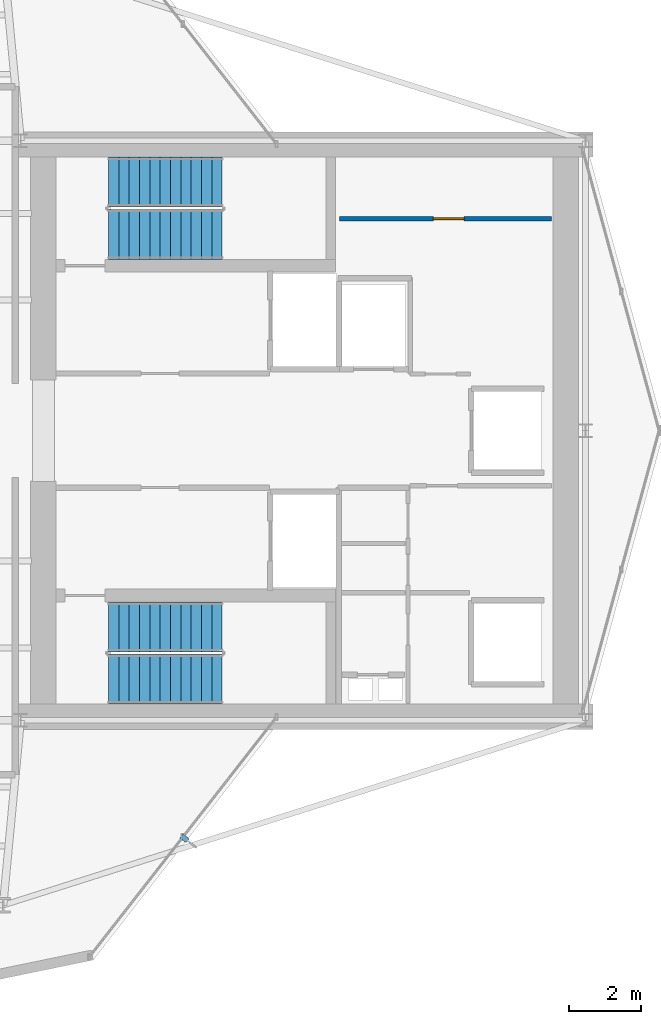
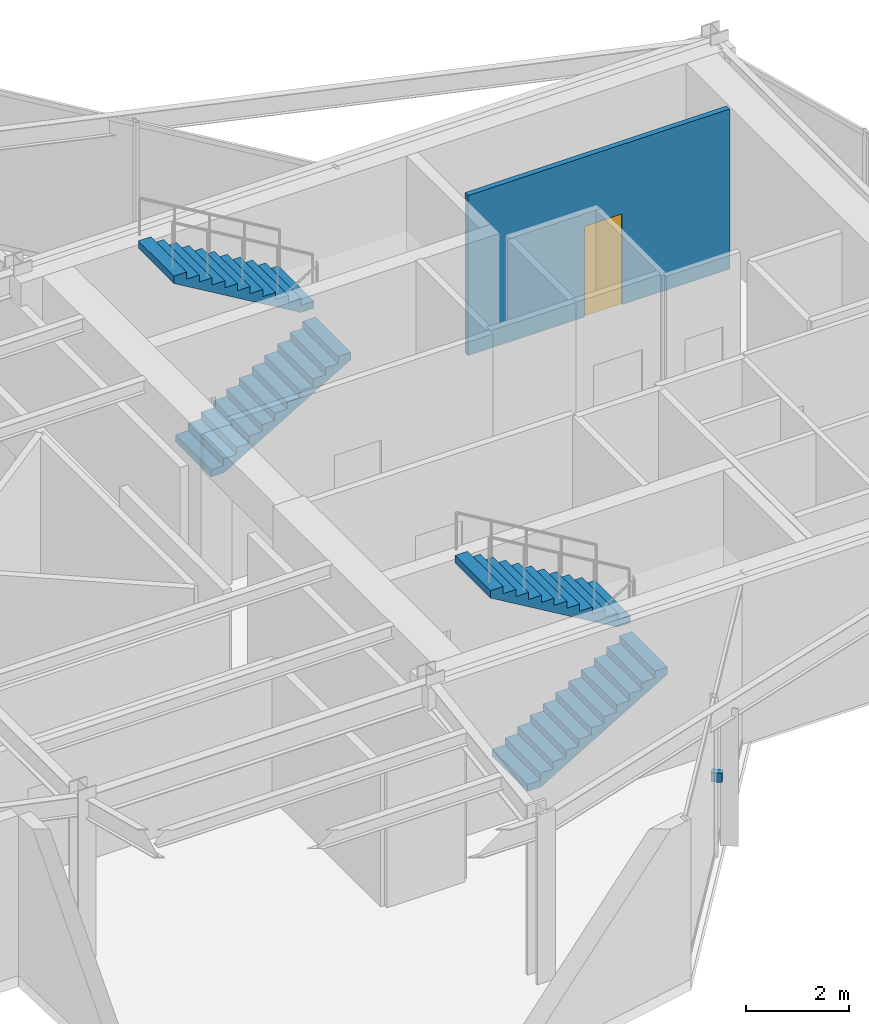
# One storey, part 20 of 21: 4 stair flights, 1 discrete accessory, 1 door, 1 wall, 1 opening, 2 elements without a shape of their own.
"""IFC4 building model written with IfcOpenShell, lengths in metres."""

from ifc_helpers import new_model, si_unit, direction, frame, frame_2d, origin, origin_2d, place, context, subcontext, project, spatial, polyline, rectangle, outline, extrude, material, layer, layer_set, type_object, element, fill, aggregate, save


model = new_model("IFC4")

# Units and contexts
model_context = context("Model", 3, precision=1e-05, world=origin(), true_north=direction((0.0, 1.0)))
body_context = subcontext(model_context, "Body", "Model", "MODEL_VIEW")
ifc_project = project(units=[si_unit("LENGTHUNIT", "METRE"), si_unit("AREAUNIT", "SQUARE_METRE"), si_unit("VOLUMEUNIT", "CUBIC_METRE"), si_unit("PLANEANGLEUNIT", "RADIAN"), si_unit("MASSUNIT", "GRAM", prefix="KILO")], contexts=[model_context])

# Site, building, storey
site_placement = place(None, origin())
site = spatial("IfcSite", under=ifc_project, at=site_placement, CompositionType="ELEMENT")
building_placement = place(site_placement, origin())
building = spatial("IfcBuilding", under=site, at=building_placement, Name="Veymaron Broadcast Tower", CompositionType="ELEMENT")
storey_placement = place(building_placement, frame((0.0, 0.0, 244.5)))
storey = spatial("IfcBuildingStorey", under=building, at=storey_placement, Name="L57", CompositionType="ELEMENT", Elevation=244.5)

# Wall, opening, door
ifc_material_1 = material(Name="Acoustic gypsum board and galvanized stud", Category="gypsum")
ifc_layer_1 = layer(ifc_material_1, 0.1201171875)
ifc_layer_set_1 = layer_set([ifc_layer_1], Name="Acoustic gypsum board and galvanized stud")
wall_type = type_object("IfcWallType", Name="WALL-PART-120", PredefinedType="PARTITIONING", material=ifc_layer_set_1)
wall_placement = place(storey_placement, frame((47.800048828125, 29.85009765625, 0.0), z_axis=(0.0, 0.0, 1.0), x_axis=(1.0, 0.0, 0.0)))
wall = element("IfcWall", 1, at=wall_placement, inside=storey, type_object=wall_type, Name="L57 partition IW-L57-F2-M", PredefinedType="PARTITIONING", context=body_context, shape_type="SweptSolid", body=[
    extrude(rectangle(XDim=5.85986328125, YDim=0.1201171875, at=frame_2d((2.929931640625, 0.0))), origin(), (0.0, 0.0, 1.0), 3.7900390625),
])
opening_placement = place(wall_placement, frame((2.60009765625, 0.0, 0.0)))
opening = element("IfcOpeningElement", 2, at=opening_placement, cuts=wall, Name="Opening ID-WC1", PredefinedType="OPENING", context=body_context, shape_type="SweptSolid", body=[
    extrude(rectangle(XDim=0.85009765625, YDim=2.14990234375, at=frame_2d((0.425048828125, 1.074951171875))), frame((0.0, 0.070068359375, 0.0), z_axis=(0.0, -1.0, 0.0), x_axis=(1.0, 0.0, 0.0)), (0.0, 0.0, 1.0), 0.14013671875),
])
ifc_material_2 = material(Name="Moisture-resistant high-pressure laminate timber", Category="wood")
door_type = type_object("IfcDoorType", Name="DOOR-INT-850", OperationType="NOTDEFINED", PredefinedType="DOOR", material=ifc_material_2)
door_placement = place(opening_placement, origin())
door = element("IfcDoor", 3, at=door_placement, inside=storey, type_object=door_type, Name="L57 door DR-L57-F2B", OperationType="SINGLE_SWING_LEFT", OverallHeight=2.14990234375, OverallWidth=0.85009765625, PredefinedType="DOOR", context=body_context, shape_type="SweptSolid", body=[
    extrude(rectangle(XDim=0.85009765625, YDim=2.14990234375, at=frame_2d((0.425048828125, 1.074951171875))), frame((0.0, 0.02490234375, 0.0), z_axis=(0.0, -1.0, 0.0), x_axis=(1.0, 0.0, 0.0)), (0.0, 0.0, 1.0), 0.050048828125),
])
fill(opening, door)

# Stair, stair flights
ifc_material_3 = material(Name="Concrete C50/60", Category="concrete")
stair_type_1 = type_object("IfcStairType", Name="STAIR-CORE-1", PredefinedType="HALF_TURN_STAIR", material=ifc_material_3)
stair_1_placement = place(storey_placement, origin())
stair_1 = element("IfcStair", 4, at=stair_1_placement, inside=storey, type_object=stair_type_1, Name="L57 North protected dog-leg exit stair ST1", PredefinedType="HALF_TURN_STAIR")
ifc_material_4 = material(Name="Precast concrete C50/60", Category="concrete")
stair_flight_type = type_object("IfcStairFlightType", Name="FLT-CORE-RC", PredefinedType="STRAIGHT", material=ifc_material_4)
stair_flight_1_placement = place(storey_placement, frame((41.429931640625, 29.419921875, 0.0), z_axis=(0.0, 0.0, 1.0), x_axis=(1.0, 0.0, 0.0)))
stair_flight_1 = element("IfcStairFlight", 5, at=stair_flight_1_placement, type_object=stair_flight_type, Name="ST1 flight 1", NumberOfRisers=12, NumberOfTreads=11, PredefinedType="STRAIGHT", RiserHeight=0.16875, TreadLength=0.285, context=body_context, shape_type="SweptSolid", body=[
    extrude(outline(polyline([(0.0, 0.0), (0.0, 0.168701171875), (0.284912109375, 0.168701171875), (0.284912109375, 0.33740234375), (0.570068359375, 0.33740234375), (0.570068359375, 0.50634765625), (0.85498046875, 0.50634765625), (0.85498046875, 0.675048828125), (1.139892578125, 0.675048828125), (1.139892578125, 0.84375), (1.425048828125, 0.84375), (1.425048828125, 1.012451171875), (1.7099609375, 1.012451171875), (1.7099609375, 1.18115234375), (1.9951171875, 1.18115234375), (1.9951171875, 1.35009765625), (2.280029296875, 1.35009765625), (2.280029296875, 1.518798828125), (2.56494140625, 1.518798828125), (2.56494140625, 1.6875), (2.85009765625, 1.6875), (2.85009765625, 1.856201171875), (3.135009765625, 1.856201171875), (3.135009765625, 2.02490234375), (3.135009765625, 1.68212890625), (0.294189453125, 0.0), (0.0, 0.0)])), frame((0.0, 0.68994140625, 0.0), z_axis=(0.0, -1.0, 0.0), x_axis=(1.0, 0.0, 0.0)), (0.0, 0.0, 1.0), 1.3798828125),
])
stair_flight_2_placement = place(storey_placement, frame((44.56494140625, 30.860107421875, 2.02490234375), z_axis=(0.0, 0.0, 1.0), x_axis=(-1.0, 0.0, 0.0)))
stair_flight_2 = element("IfcStairFlight", 6, at=stair_flight_2_placement, type_object=stair_flight_type, Name="ST1 flight 2", NumberOfRisers=12, NumberOfTreads=11, PredefinedType="STRAIGHT", RiserHeight=0.16875, TreadLength=0.285, context=body_context, shape_type="SweptSolid", body=[
    extrude(outline(polyline([(0.0, 0.0), (0.0, 0.168701171875), (0.284912109375, 0.168701171875), (0.284912109375, 0.33740234375), (0.570068359375, 0.33740234375), (0.570068359375, 0.50634765625), (0.85498046875, 0.50634765625), (0.85498046875, 0.675048828125), (1.139892578125, 0.675048828125), (1.139892578125, 0.84375), (1.425048828125, 0.84375), (1.425048828125, 1.012451171875), (1.7099609375, 1.012451171875), (1.7099609375, 1.18115234375), (1.9951171875, 1.18115234375), (1.9951171875, 1.35009765625), (2.280029296875, 1.35009765625), (2.280029296875, 1.518798828125), (2.56494140625, 1.518798828125), (2.56494140625, 1.6875), (2.85009765625, 1.6875), (2.85009765625, 1.856201171875), (3.135009765625, 1.856201171875), (3.135009765625, 2.02490234375), (3.135009765625, 1.68212890625), (0.294189453125, 0.0), (0.0, 0.0)])), frame((0.0, 0.68994140625, 0.0), z_axis=(0.0, -1.0, 0.0), x_axis=(1.0, 0.0, 0.0)), (0.0, 0.0, 1.0), 1.3798828125),
])
aggregate(stair_1, [stair_flight_1, stair_flight_2])

stair_type_2 = type_object("IfcStairType", Name="STAIR-CORE-2", PredefinedType="HALF_TURN_STAIR", material=ifc_material_3)
stair_2_placement = place(storey_placement, origin())
stair_2 = element("IfcStair", 7, at=stair_2_placement, inside=storey, type_object=stair_type_2, Name="L57 South protected dog-leg exit stair ST2", PredefinedType="HALF_TURN_STAIR")
stair_flight_3_placement = place(storey_placement, frame((41.429931640625, 17.139892578125, 0.0), z_axis=(0.0, 0.0, 1.0), x_axis=(1.0, 0.0, 0.0)))
stair_flight_3 = element("IfcStairFlight", 8, at=stair_flight_3_placement, type_object=stair_flight_type, Name="ST2 flight 1", NumberOfRisers=12, NumberOfTreads=11, PredefinedType="STRAIGHT", RiserHeight=0.16875, TreadLength=0.285, context=body_context, shape_type="SweptSolid", body=[
    extrude(outline(polyline([(0.0, 0.0), (0.0, 0.168701171875), (0.284912109375, 0.168701171875), (0.284912109375, 0.33740234375), (0.570068359375, 0.33740234375), (0.570068359375, 0.50634765625), (0.85498046875, 0.50634765625), (0.85498046875, 0.675048828125), (1.139892578125, 0.675048828125), (1.139892578125, 0.84375), (1.425048828125, 0.84375), (1.425048828125, 1.012451171875), (1.7099609375, 1.012451171875), (1.7099609375, 1.18115234375), (1.9951171875, 1.18115234375), (1.9951171875, 1.35009765625), (2.280029296875, 1.35009765625), (2.280029296875, 1.518798828125), (2.56494140625, 1.518798828125), (2.56494140625, 1.6875), (2.85009765625, 1.6875), (2.85009765625, 1.856201171875), (3.135009765625, 1.856201171875), (3.135009765625, 2.02490234375), (3.135009765625, 1.68212890625), (0.294189453125, 0.0), (0.0, 0.0)])), frame((0.0, 0.68994140625, 0.0), z_axis=(0.0, -1.0, 0.0), x_axis=(1.0, 0.0, 0.0)), (0.0, 0.0, 1.0), 1.3798828125),
])
stair_flight_4_placement = place(storey_placement, frame((44.56494140625, 18.580078125, 2.02490234375), z_axis=(0.0, 0.0, 1.0), x_axis=(-1.0, 0.0, 0.0)))
stair_flight_4 = element("IfcStairFlight", 9, at=stair_flight_4_placement, type_object=stair_flight_type, Name="ST2 flight 2", NumberOfRisers=12, NumberOfTreads=11, PredefinedType="STRAIGHT", RiserHeight=0.16875, TreadLength=0.285, context=body_context, shape_type="SweptSolid", body=[
    extrude(outline(polyline([(0.0, 0.0), (0.0, 0.168701171875), (0.284912109375, 0.168701171875), (0.284912109375, 0.33740234375), (0.570068359375, 0.33740234375), (0.570068359375, 0.50634765625), (0.85498046875, 0.50634765625), (0.85498046875, 0.675048828125), (1.139892578125, 0.675048828125), (1.139892578125, 0.84375), (1.425048828125, 0.84375), (1.425048828125, 1.012451171875), (1.7099609375, 1.012451171875), (1.7099609375, 1.18115234375), (1.9951171875, 1.18115234375), (1.9951171875, 1.35009765625), (2.280029296875, 1.35009765625), (2.280029296875, 1.518798828125), (2.56494140625, 1.518798828125), (2.56494140625, 1.6875), (2.85009765625, 1.6875), (2.85009765625, 1.856201171875), (3.135009765625, 1.856201171875), (3.135009765625, 2.02490234375), (3.135009765625, 1.68212890625), (0.294189453125, 0.0), (0.0, 0.0)])), frame((0.0, 0.68994140625, 0.0), z_axis=(0.0, -1.0, 0.0), x_axis=(1.0, 0.0, 0.0)), (0.0, 0.0, 1.0), 1.3798828125),
])
aggregate(stair_2, [stair_flight_3, stair_flight_4])

# Discrete accessory
ifc_material_5 = material(Name="Austenitic stainless steel AISI 316L", Category="steel")
ifc_layer_2 = layer(ifc_material_5, 0.1201171875)
ifc_layer_set_2 = layer_set([ifc_layer_2], Name="Austenitic stainless steel AISI 316L")
discrete_accessory_type = type_object("IfcDiscreteAccessoryType", Name="ACC-BRKT-SS1", PredefinedType="BRACKET", material=ifc_layer_set_2)
discrete_accessory_placement = place(storey_placement, frame((43.527587890625, 12.737548828125, 1.78515625), z_axis=(0.0, 0.0, 1.0), x_axis=(0.788300789736, -0.615290065661, 0.0)))
element("IfcDiscreteAccessory", 10, at=discrete_accessory_placement, inside=storey, type_object=discrete_accessory_type, Name="CW-L57-E20-1 fin bracket 1", PredefinedType="BRACKET", context=body_context, shape_type="SweptSolid", body=[
    extrude(rectangle(XDim=0.219970703125, YDim=0.139892578125, at=origin_2d()), origin(), (0.0, 0.0, 1.0), 0.219970703125),
])

save(model, "model.ifc")
